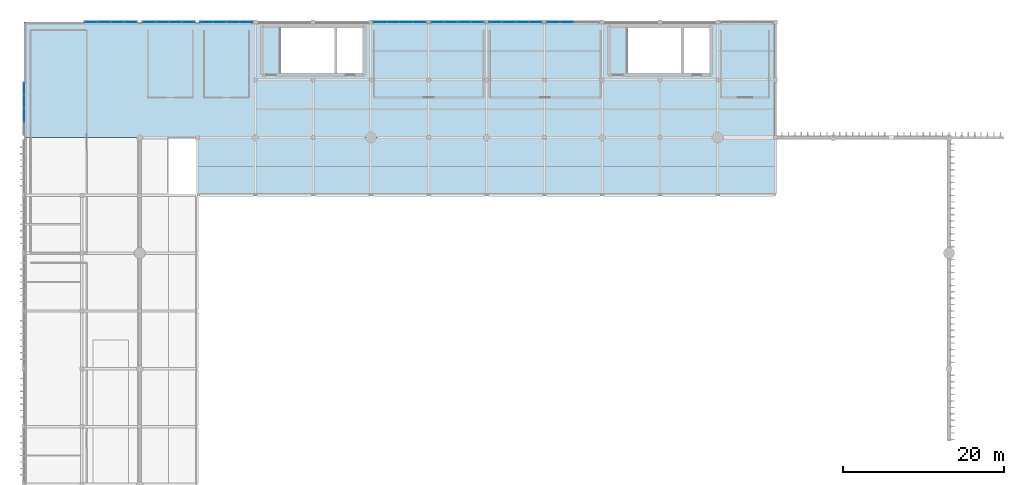
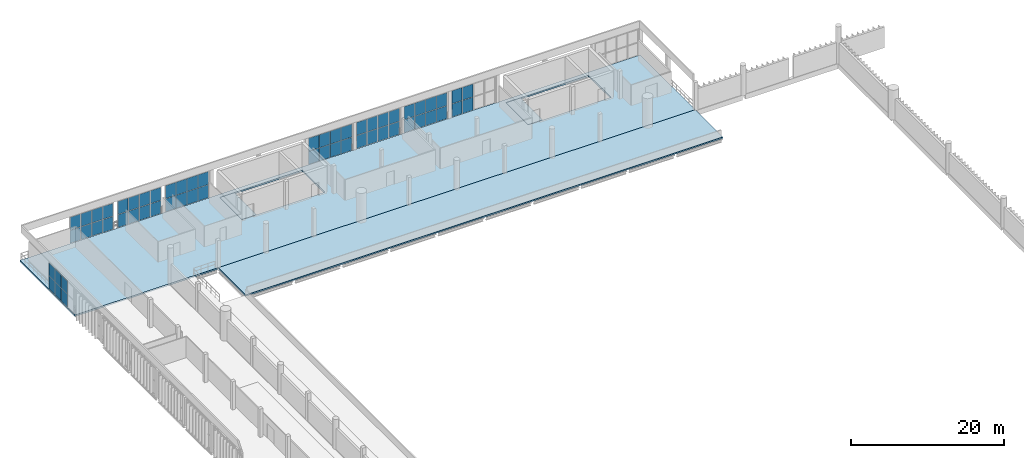
# One storey, part 41 of 64: 58 plates, 4 slabs, 8 elements without a shape of their own.
"""IFC4 building model written with IfcOpenShell, lengths in metres."""

from ifc_helpers import new_model, si_unit, direction, frame, origin, origin_2d, place, context, subcontext, project, spatial, polyline, rectangle, outline, extrude, material, layer, layer_set, type_object, element, aggregate, save


model = new_model("IFC4")

# Units and contexts
model_context = context("Model", 3, precision=1e-05, world=origin(), true_north=direction((0.0, 1.0)))
body_context = subcontext(model_context, "Body", "Model", "MODEL_VIEW")
ifc_project = project(units=[si_unit("LENGTHUNIT", "METRE"), si_unit("AREAUNIT", "SQUARE_METRE"), si_unit("VOLUMEUNIT", "CUBIC_METRE"), si_unit("PLANEANGLEUNIT", "RADIAN"), si_unit("MASSUNIT", "GRAM", prefix="KILO")], contexts=[model_context])

# Site, building, storey
site_placement = place(None, origin())
site = spatial("IfcSite", under=ifc_project, at=site_placement, CompositionType="ELEMENT")
building_placement = place(site_placement, origin())
building = spatial("IfcBuilding", under=site, at=building_placement, Name="Qandorah Velis Arena", CompositionType="ELEMENT")
storey_placement = place(building_placement, frame((0.0, 0.0, 23.0)))
storey = spatial("IfcBuildingStorey", under=building, at=storey_placement, Name="L05", CompositionType="ELEMENT", Elevation=23.0)

# Curtain wall, plates
ifc_material_1 = material(Name="Solar-control low-E double glazing", Category="glass")
curtain_wall_type_1 = type_object("IfcCurtainWallType", Name="ARC-CW-SYS06", PredefinedType="USERDEFINED", material=ifc_material_1)
curtain_wall_1_placement = place(storey_placement, origin())
curtain_wall_1 = element("IfcCurtainWall", 1, at=curtain_wall_1_placement, inside=storey, type_object=curtain_wall_type_1, Name="Unitised curtain wall L05-054", ObjectType="UNITISED CURTAIN WALL", PredefinedType="USERDEFINED")
ifc_layer_1 = layer(ifc_material_1, 0.02392578125)
ifc_layer_set_1 = layer_set([ifc_layer_1], Name="Solar-control low-E double glazing")
plate_type_1 = type_object("IfcPlateType", Name="ARC-CWP-GLZ24", PredefinedType="CURTAIN_PANEL", material=ifc_layer_set_1)
plate_1_placement = place(storey_placement, frame((0.0, 117.97509765625, 0.054931640625), z_axis=(0.0, 0.0, 1.0), x_axis=(0.0, 1.0, 0.0)))
plate_1 = element("IfcPlate", 2, at=plate_1_placement, type_object=plate_type_1, Name="CW06 panel 2.1", PredefinedType="CURTAIN_PANEL", context=body_context, shape_type="SweptSolid", body=[
    extrude(rectangle(XDim=1.60498046875, YDim=0.02392578125, at=origin_2d()), origin(), (0.0, 0.0, 1.0), 2.0625),
])
plate_2_placement = place(storey_placement, frame((0.0, 117.97509765625, 2.16259765625), z_axis=(0.0, 0.0, 1.0), x_axis=(0.0, 1.0, 0.0)))
plate_2 = element("IfcPlate", 3, at=plate_2_placement, type_object=plate_type_1, Name="CW06 panel 2.2", PredefinedType="CURTAIN_PANEL", context=body_context, shape_type="SweptSolid", body=[
    extrude(rectangle(XDim=1.60498046875, YDim=0.02392578125, at=origin_2d()), origin(), (0.0, 0.0, 1.0), 2.0625),
])
plate_3_placement = place(storey_placement, frame((0.0, 119.625, 0.054931640625), z_axis=(0.0, 0.0, 1.0), x_axis=(0.0, 1.0, 0.0)))
plate_3 = element("IfcPlate", 4, at=plate_3_placement, type_object=plate_type_1, Name="CW06 panel 3.1", PredefinedType="CURTAIN_PANEL", context=body_context, shape_type="SweptSolid", body=[
    extrude(rectangle(XDim=1.60498046875, YDim=0.02392578125, at=origin_2d()), origin(), (0.0, 0.0, 1.0), 2.0625),
])
plate_4_placement = place(storey_placement, frame((0.0, 119.625, 2.16259765625), z_axis=(0.0, 0.0, 1.0), x_axis=(0.0, 1.0, 0.0)))
plate_4 = element("IfcPlate", 5, at=plate_4_placement, type_object=plate_type_1, Name="CW06 panel 3.2", PredefinedType="CURTAIN_PANEL", context=body_context, shape_type="SweptSolid", body=[
    extrude(rectangle(XDim=1.60498046875, YDim=0.02392578125, at=origin_2d()), origin(), (0.0, 0.0, 1.0), 2.0625),
])
plate_5_placement = place(storey_placement, frame((0.0, 121.2587890625, 0.054931640625), z_axis=(0.0, 0.0, 1.0), x_axis=(0.0, 1.0, 0.0)))
plate_5 = element("IfcPlate", 6, at=plate_5_placement, type_object=plate_type_1, Name="CW06 panel 4.1", PredefinedType="CURTAIN_PANEL", context=body_context, shape_type="SweptSolid", body=[
    extrude(rectangle(XDim=1.572509765625, YDim=0.02392578125, at=origin_2d()), origin(), (0.0, 0.0, 1.0), 2.0625),
])
plate_6_placement = place(storey_placement, frame((0.0, 121.2587890625, 2.16259765625), z_axis=(0.0, 0.0, 1.0), x_axis=(0.0, 1.0, 0.0)))
plate_6 = element("IfcPlate", 7, at=plate_6_placement, type_object=plate_type_1, Name="CW06 panel 4.2", PredefinedType="CURTAIN_PANEL", context=body_context, shape_type="SweptSolid", body=[
    extrude(rectangle(XDim=1.572509765625, YDim=0.02392578125, at=origin_2d()), origin(), (0.0, 0.0, 1.0), 2.0625),
])
aggregate(curtain_wall_1, [plate_1, plate_2, plate_3, plate_4, plate_5, plate_6])

curtain_wall_type_2 = type_object("IfcCurtainWallType", Name="ARC-CW-SYS03", PredefinedType="USERDEFINED", material=ifc_material_1)
curtain_wall_2_placement = place(storey_placement, origin())
curtain_wall_2 = element("IfcCurtainWall", 8, at=curtain_wall_2_placement, inside=storey, type_object=curtain_wall_type_2, Name="Unitised curtain wall L05-099", ObjectType="UNITISED CURTAIN WALL", PredefinedType="USERDEFINED")
plate_7_placement = place(storey_placement, frame((22.739990234375, 129.60009765625, 0.0498046875), z_axis=(0.0, 0.0, 1.0), x_axis=(1.0, 0.0, 0.0)))
plate_7 = element("IfcPlate", 9, at=plate_7_placement, type_object=plate_type_1, Name="CW03 panel 1.1", PredefinedType="CURTAIN_PANEL", context=body_context, shape_type="SweptSolid", body=[
    extrude(rectangle(XDim=1.580078125, YDim=0.02392578125, at=origin_2d()), origin(), (0.0, 0.0, 1.0), 2.070068359375),
])
plate_8_placement = place(storey_placement, frame((22.739990234375, 129.60009765625, 2.16015625), z_axis=(0.0, 0.0, 1.0), x_axis=(1.0, 0.0, 0.0)))
plate_8 = element("IfcPlate", 10, at=plate_8_placement, type_object=plate_type_1, Name="CW03 panel 1.2", PredefinedType="CURTAIN_PANEL", context=body_context, shape_type="SweptSolid", body=[
    extrude(rectangle(XDim=1.580078125, YDim=0.02392578125, at=origin_2d()), origin(), (0.0, 0.0, 1.0), 2.070068359375),
])
plate_9_placement = place(storey_placement, frame((24.375, 129.60009765625, 0.0498046875), z_axis=(0.0, 0.0, 1.0), x_axis=(1.0, 0.0, 0.0)))
plate_9 = element("IfcPlate", 11, at=plate_9_placement, type_object=plate_type_1, Name="CW03 panel 2.1", PredefinedType="CURTAIN_PANEL", context=body_context, shape_type="SweptSolid", body=[
    extrude(rectangle(XDim=1.610107421875, YDim=0.02392578125, at=origin_2d()), origin(), (0.0, 0.0, 1.0), 2.070068359375),
])
plate_10_placement = place(storey_placement, frame((24.375, 129.60009765625, 2.16015625), z_axis=(0.0, 0.0, 1.0), x_axis=(1.0, 0.0, 0.0)))
plate_10 = element("IfcPlate", 12, at=plate_10_placement, type_object=plate_type_1, Name="CW03 panel 2.2", PredefinedType="CURTAIN_PANEL", context=body_context, shape_type="SweptSolid", body=[
    extrude(rectangle(XDim=1.610107421875, YDim=0.02392578125, at=origin_2d()), origin(), (0.0, 0.0, 1.0), 2.070068359375),
])
plate_11_placement = place(storey_placement, frame((26.02490234375, 129.60009765625, 0.0498046875), z_axis=(0.0, 0.0, 1.0), x_axis=(1.0, 0.0, 0.0)))
plate_11 = element("IfcPlate", 13, at=plate_11_placement, type_object=plate_type_1, Name="CW03 panel 3.1", PredefinedType="CURTAIN_PANEL", context=body_context, shape_type="SweptSolid", body=[
    extrude(rectangle(XDim=1.610107421875, YDim=0.02392578125, at=origin_2d()), origin(), (0.0, 0.0, 1.0), 2.070068359375),
])
plate_12_placement = place(storey_placement, frame((26.02490234375, 129.60009765625, 2.16015625), z_axis=(0.0, 0.0, 1.0), x_axis=(1.0, 0.0, 0.0)))
plate_12 = element("IfcPlate", 14, at=plate_12_placement, type_object=plate_type_1, Name="CW03 panel 3.2", PredefinedType="CURTAIN_PANEL", context=body_context, shape_type="SweptSolid", body=[
    extrude(rectangle(XDim=1.610107421875, YDim=0.02392578125, at=origin_2d()), origin(), (0.0, 0.0, 1.0), 2.070068359375),
])
plate_13_placement = place(storey_placement, frame((27.659912109375, 129.60009765625, 0.0498046875), z_axis=(0.0, 0.0, 1.0), x_axis=(1.0, 0.0, 0.0)))
plate_13 = element("IfcPlate", 15, at=plate_13_placement, type_object=plate_type_1, Name="CW03 panel 4.1", PredefinedType="CURTAIN_PANEL", context=body_context, shape_type="SweptSolid", body=[
    extrude(rectangle(XDim=1.580078125, YDim=0.02392578125, at=origin_2d()), origin(), (0.0, 0.0, 1.0), 2.070068359375),
])
plate_14_placement = place(storey_placement, frame((27.659912109375, 129.60009765625, 2.16015625), z_axis=(0.0, 0.0, 1.0), x_axis=(1.0, 0.0, 0.0)))
plate_14 = element("IfcPlate", 16, at=plate_14_placement, type_object=plate_type_1, Name="CW03 panel 4.2", PredefinedType="CURTAIN_PANEL", context=body_context, shape_type="SweptSolid", body=[
    extrude(rectangle(XDim=1.580078125, YDim=0.02392578125, at=origin_2d()), origin(), (0.0, 0.0, 1.0), 2.070068359375),
])
aggregate(curtain_wall_2, [plate_7, plate_8, plate_9, plate_10, plate_11, plate_12, plate_13, plate_14])

curtain_wall_type_3 = type_object("IfcCurtainWallType", Name="ARC-CW-SYS02", PredefinedType="USERDEFINED", material=ifc_material_1)
curtain_wall_3_placement = place(storey_placement, origin())
curtain_wall_3 = element("IfcCurtainWall", 17, at=curtain_wall_3_placement, inside=storey, type_object=curtain_wall_type_3, Name="Unitised curtain wall L05-098", ObjectType="UNITISED CURTAIN WALL", PredefinedType="USERDEFINED")
ifc_layer_2 = layer(ifc_material_1, 0.028076171875)
ifc_layer_set_2 = layer_set([ifc_layer_2], Name="Solar-control low-E double glazing")
plate_type_2 = type_object("IfcPlateType", Name="ARC-CWP-GLZ28", PredefinedType="CURTAIN_PANEL", material=ifc_layer_set_2)
plate_15_placement = place(storey_placement, frame((15.541259765625, 129.60009765625, 0.054931640625), z_axis=(0.0, 0.0, 1.0), x_axis=(1.0, 0.0, 0.0)))
plate_15 = element("IfcPlate", 18, at=plate_15_placement, type_object=plate_type_2, Name="CW02 panel 1.1", PredefinedType="CURTAIN_PANEL", context=body_context, shape_type="SweptSolid", body=[
    extrude(rectangle(XDim=1.572509765625, YDim=0.028076171875, at=origin_2d()), origin(), (0.0, 0.0, 1.0), 2.0625),
])
plate_16_placement = place(storey_placement, frame((15.541259765625, 129.60009765625, 2.16259765625), z_axis=(0.0, 0.0, 1.0), x_axis=(1.0, 0.0, 0.0)))
plate_16 = element("IfcPlate", 19, at=plate_16_placement, type_object=plate_type_2, Name="CW02 panel 1.2", PredefinedType="CURTAIN_PANEL", context=body_context, shape_type="SweptSolid", body=[
    extrude(rectangle(XDim=1.572509765625, YDim=0.028076171875, at=origin_2d()), origin(), (0.0, 0.0, 1.0), 2.0625),
])
plate_17_placement = place(storey_placement, frame((17.175048828125, 129.60009765625, 0.054931640625), z_axis=(0.0, 0.0, 1.0), x_axis=(1.0, 0.0, 0.0)))
plate_17 = element("IfcPlate", 20, at=plate_17_placement, type_object=plate_type_2, Name="CW02 panel 2.1", PredefinedType="CURTAIN_PANEL", context=body_context, shape_type="SweptSolid", body=[
    extrude(rectangle(XDim=1.60498046875, YDim=0.028076171875, at=origin_2d()), origin(), (0.0, 0.0, 1.0), 2.0625),
])
plate_18_placement = place(storey_placement, frame((17.175048828125, 129.60009765625, 2.16259765625), z_axis=(0.0, 0.0, 1.0), x_axis=(1.0, 0.0, 0.0)))
plate_18 = element("IfcPlate", 21, at=plate_18_placement, type_object=plate_type_2, Name="CW02 panel 2.2", PredefinedType="CURTAIN_PANEL", context=body_context, shape_type="SweptSolid", body=[
    extrude(rectangle(XDim=1.60498046875, YDim=0.028076171875, at=origin_2d()), origin(), (0.0, 0.0, 1.0), 2.0625),
])
plate_19_placement = place(storey_placement, frame((18.824951171875, 129.60009765625, 0.054931640625), z_axis=(0.0, 0.0, 1.0), x_axis=(1.0, 0.0, 0.0)))
plate_19 = element("IfcPlate", 22, at=plate_19_placement, type_object=plate_type_2, Name="CW02 panel 3.1", PredefinedType="CURTAIN_PANEL", context=body_context, shape_type="SweptSolid", body=[
    extrude(rectangle(XDim=1.60498046875, YDim=0.028076171875, at=origin_2d()), origin(), (0.0, 0.0, 1.0), 2.0625),
])
plate_20_placement = place(storey_placement, frame((18.824951171875, 129.60009765625, 2.16259765625), z_axis=(0.0, 0.0, 1.0), x_axis=(1.0, 0.0, 0.0)))
plate_20 = element("IfcPlate", 23, at=plate_20_placement, type_object=plate_type_2, Name="CW02 panel 3.2", PredefinedType="CURTAIN_PANEL", context=body_context, shape_type="SweptSolid", body=[
    extrude(rectangle(XDim=1.60498046875, YDim=0.028076171875, at=origin_2d()), origin(), (0.0, 0.0, 1.0), 2.0625),
])
plate_21_placement = place(storey_placement, frame((20.458740234375, 129.60009765625, 0.054931640625), z_axis=(0.0, 0.0, 1.0), x_axis=(1.0, 0.0, 0.0)))
plate_21 = element("IfcPlate", 24, at=plate_21_placement, type_object=plate_type_2, Name="CW02 panel 4.1", PredefinedType="CURTAIN_PANEL", context=body_context, shape_type="SweptSolid", body=[
    extrude(rectangle(XDim=1.572509765625, YDim=0.028076171875, at=origin_2d()), origin(), (0.0, 0.0, 1.0), 2.0625),
])
plate_22_placement = place(storey_placement, frame((20.458740234375, 129.60009765625, 2.16259765625), z_axis=(0.0, 0.0, 1.0), x_axis=(1.0, 0.0, 0.0)))
plate_22 = element("IfcPlate", 25, at=plate_22_placement, type_object=plate_type_2, Name="CW02 panel 4.2", PredefinedType="CURTAIN_PANEL", context=body_context, shape_type="SweptSolid", body=[
    extrude(rectangle(XDim=1.572509765625, YDim=0.028076171875, at=origin_2d()), origin(), (0.0, 0.0, 1.0), 2.0625),
])
aggregate(curtain_wall_3, [plate_15, plate_16, plate_17, plate_18, plate_19, plate_20, plate_21, plate_22])

curtain_wall_type_4 = type_object("IfcCurtainWallType", Name="ARC-CW-SYS07", PredefinedType="USERDEFINED", material=ifc_material_1)
curtain_wall_4_placement = place(storey_placement, origin())
curtain_wall_4 = element("IfcCurtainWall", 26, at=curtain_wall_4_placement, inside=storey, type_object=curtain_wall_type_4, Name="Unitised curtain wall L05-103", ObjectType="UNITISED CURTAIN WALL", PredefinedType="USERDEFINED")
plate_23_placement = place(storey_placement, frame((65.93994140625, 129.60009765625, 0.0498046875), z_axis=(0.0, 0.0, 1.0), x_axis=(1.0, 0.0, 0.0)))
plate_23 = element("IfcPlate", 27, at=plate_23_placement, type_object=plate_type_2, Name="CW07 panel 1.1", PredefinedType="CURTAIN_PANEL", context=body_context, shape_type="SweptSolid", body=[
    extrude(rectangle(XDim=1.580078125, YDim=0.028076171875, at=origin_2d()), origin(), (0.0, 0.0, 1.0), 2.070068359375),
])
plate_24_placement = place(storey_placement, frame((65.93994140625, 129.60009765625, 2.16015625), z_axis=(0.0, 0.0, 1.0), x_axis=(1.0, 0.0, 0.0)))
plate_24 = element("IfcPlate", 28, at=plate_24_placement, type_object=plate_type_2, Name="CW07 panel 1.2", PredefinedType="CURTAIN_PANEL", context=body_context, shape_type="SweptSolid", body=[
    extrude(rectangle(XDim=1.580078125, YDim=0.028076171875, at=origin_2d()), origin(), (0.0, 0.0, 1.0), 2.070068359375),
])
plate_25_placement = place(storey_placement, frame((67.574951171875, 129.60009765625, 0.0498046875), z_axis=(0.0, 0.0, 1.0), x_axis=(1.0, 0.0, 0.0)))
plate_25 = element("IfcPlate", 29, at=plate_25_placement, type_object=plate_type_2, Name="CW07 panel 2.1", PredefinedType="CURTAIN_PANEL", context=body_context, shape_type="SweptSolid", body=[
    extrude(rectangle(XDim=1.610107421875, YDim=0.028076171875, at=origin_2d()), origin(), (0.0, 0.0, 1.0), 2.070068359375),
])
plate_26_placement = place(storey_placement, frame((67.574951171875, 129.60009765625, 2.16015625), z_axis=(0.0, 0.0, 1.0), x_axis=(1.0, 0.0, 0.0)))
plate_26 = element("IfcPlate", 30, at=plate_26_placement, type_object=plate_type_2, Name="CW07 panel 2.2", PredefinedType="CURTAIN_PANEL", context=body_context, shape_type="SweptSolid", body=[
    extrude(rectangle(XDim=1.610107421875, YDim=0.028076171875, at=origin_2d()), origin(), (0.0, 0.0, 1.0), 2.070068359375),
])
aggregate(curtain_wall_4, [plate_23, plate_24, plate_25, plate_26])

curtain_wall_type_5 = type_object("IfcCurtainWallType", Name="ARC-CW-SYS01", PredefinedType="USERDEFINED", material=ifc_material_1)
curtain_wall_5_placement = place(storey_placement, origin())
curtain_wall_5 = element("IfcCurtainWall", 31, at=curtain_wall_5_placement, inside=storey, type_object=curtain_wall_type_5, Name="Unitised curtain wall L05-097", ObjectType="UNITISED CURTAIN WALL", PredefinedType="USERDEFINED")
ifc_layer_3 = layer(ifc_material_1, 0.030029296875)
ifc_layer_set_3 = layer_set([ifc_layer_3], Name="Solar-control low-E double glazing")
plate_type_3 = type_object("IfcPlateType", Name="ARC-CWP-GLZ30", PredefinedType="CURTAIN_PANEL", material=ifc_layer_set_3)
plate_27_placement = place(storey_placement, frame((8.34375, 129.60009765625, 0.06494140625), z_axis=(0.0, 0.0, 1.0), x_axis=(1.0, 0.0, 0.0)))
plate_27 = element("IfcPlate", 32, at=plate_27_placement, type_object=plate_type_3, Name="CW01 panel 1.1", PredefinedType="CURTAIN_PANEL", context=body_context, shape_type="SweptSolid", body=[
    extrude(rectangle(XDim=1.5576171875, YDim=0.030029296875, at=origin_2d()), origin(), (0.0, 0.0, 1.0), 2.047607421875),
])
plate_28_placement = place(storey_placement, frame((8.34375, 129.60009765625, 2.16748046875), z_axis=(0.0, 0.0, 1.0), x_axis=(1.0, 0.0, 0.0)))
plate_28 = element("IfcPlate", 33, at=plate_28_placement, type_object=plate_type_3, Name="CW01 panel 1.2", PredefinedType="CURTAIN_PANEL", context=body_context, shape_type="SweptSolid", body=[
    extrude(rectangle(XDim=1.5576171875, YDim=0.030029296875, at=origin_2d()), origin(), (0.0, 0.0, 1.0), 2.047607421875),
])
plate_29_placement = place(storey_placement, frame((9.97509765625, 129.60009765625, 0.06494140625), z_axis=(0.0, 0.0, 1.0), x_axis=(1.0, 0.0, 0.0)))
plate_29 = element("IfcPlate", 34, at=plate_29_placement, type_object=plate_type_3, Name="CW01 panel 2.1", PredefinedType="CURTAIN_PANEL", context=body_context, shape_type="SweptSolid", body=[
    extrude(rectangle(XDim=1.594970703125, YDim=0.030029296875, at=origin_2d()), origin(), (0.0, 0.0, 1.0), 2.047607421875),
])
plate_30_placement = place(storey_placement, frame((9.97509765625, 129.60009765625, 2.16748046875), z_axis=(0.0, 0.0, 1.0), x_axis=(1.0, 0.0, 0.0)))
plate_30 = element("IfcPlate", 35, at=plate_30_placement, type_object=plate_type_3, Name="CW01 panel 2.2", PredefinedType="CURTAIN_PANEL", context=body_context, shape_type="SweptSolid", body=[
    extrude(rectangle(XDim=1.594970703125, YDim=0.030029296875, at=origin_2d()), origin(), (0.0, 0.0, 1.0), 2.047607421875),
])
plate_31_placement = place(storey_placement, frame((11.625, 129.60009765625, 0.06494140625), z_axis=(0.0, 0.0, 1.0), x_axis=(1.0, 0.0, 0.0)))
plate_31 = element("IfcPlate", 36, at=plate_31_placement, type_object=plate_type_3, Name="CW01 panel 3.1", PredefinedType="CURTAIN_PANEL", context=body_context, shape_type="SweptSolid", body=[
    extrude(rectangle(XDim=1.594970703125, YDim=0.030029296875, at=origin_2d()), origin(), (0.0, 0.0, 1.0), 2.047607421875),
])
plate_32_placement = place(storey_placement, frame((11.625, 129.60009765625, 2.16748046875), z_axis=(0.0, 0.0, 1.0), x_axis=(1.0, 0.0, 0.0)))
plate_32 = element("IfcPlate", 37, at=plate_32_placement, type_object=plate_type_3, Name="CW01 panel 3.2", PredefinedType="CURTAIN_PANEL", context=body_context, shape_type="SweptSolid", body=[
    extrude(rectangle(XDim=1.594970703125, YDim=0.030029296875, at=origin_2d()), origin(), (0.0, 0.0, 1.0), 2.047607421875),
])
plate_33_placement = place(storey_placement, frame((13.25634765625, 129.60009765625, 0.06494140625), z_axis=(0.0, 0.0, 1.0), x_axis=(1.0, 0.0, 0.0)))
plate_33 = element("IfcPlate", 38, at=plate_33_placement, type_object=plate_type_3, Name="CW01 panel 4.1", PredefinedType="CURTAIN_PANEL", context=body_context, shape_type="SweptSolid", body=[
    extrude(rectangle(XDim=1.5576171875, YDim=0.030029296875, at=origin_2d()), origin(), (0.0, 0.0, 1.0), 2.047607421875),
])
plate_34_placement = place(storey_placement, frame((13.25634765625, 129.60009765625, 2.16748046875), z_axis=(0.0, 0.0, 1.0), x_axis=(1.0, 0.0, 0.0)))
plate_34 = element("IfcPlate", 39, at=plate_34_placement, type_object=plate_type_3, Name="CW01 panel 4.2", PredefinedType="CURTAIN_PANEL", context=body_context, shape_type="SweptSolid", body=[
    extrude(rectangle(XDim=1.5576171875, YDim=0.030029296875, at=origin_2d()), origin(), (0.0, 0.0, 1.0), 2.047607421875),
])
aggregate(curtain_wall_5, [plate_27, plate_28, plate_29, plate_30, plate_31, plate_32, plate_33, plate_34])

curtain_wall_6_placement = place(storey_placement, origin())
curtain_wall_6 = element("IfcCurtainWall", 40, at=curtain_wall_6_placement, inside=storey, type_object=curtain_wall_type_1, Name="Unitised curtain wall L05-102", ObjectType="UNITISED CURTAIN WALL", PredefinedType="USERDEFINED")
plate_35_placement = place(storey_placement, frame((58.7412109375, 129.60009765625, 0.054931640625), z_axis=(0.0, 0.0, 1.0), x_axis=(1.0, 0.0, 0.0)))
plate_35 = element("IfcPlate", 41, at=plate_35_placement, type_object=plate_type_3, Name="CW06 panel 1.1", PredefinedType="CURTAIN_PANEL", context=body_context, shape_type="SweptSolid", body=[
    extrude(rectangle(XDim=1.572509765625, YDim=0.030029296875, at=origin_2d()), origin(), (0.0, 0.0, 1.0), 2.0625),
])
plate_36_placement = place(storey_placement, frame((58.7412109375, 129.60009765625, 2.16259765625), z_axis=(0.0, 0.0, 1.0), x_axis=(1.0, 0.0, 0.0)))
plate_36 = element("IfcPlate", 42, at=plate_36_placement, type_object=plate_type_3, Name="CW06 panel 1.2", PredefinedType="CURTAIN_PANEL", context=body_context, shape_type="SweptSolid", body=[
    extrude(rectangle(XDim=1.572509765625, YDim=0.030029296875, at=origin_2d()), origin(), (0.0, 0.0, 1.0), 2.0625),
])
plate_37_placement = place(storey_placement, frame((60.375, 129.60009765625, 0.054931640625), z_axis=(0.0, 0.0, 1.0), x_axis=(1.0, 0.0, 0.0)))
plate_37 = element("IfcPlate", 43, at=plate_37_placement, type_object=plate_type_3, Name="CW06 panel 2.1", PredefinedType="CURTAIN_PANEL", context=body_context, shape_type="SweptSolid", body=[
    extrude(rectangle(XDim=1.60498046875, YDim=0.030029296875, at=origin_2d()), origin(), (0.0, 0.0, 1.0), 2.0625),
])
plate_38_placement = place(storey_placement, frame((60.375, 129.60009765625, 2.16259765625), z_axis=(0.0, 0.0, 1.0), x_axis=(1.0, 0.0, 0.0)))
plate_38 = element("IfcPlate", 44, at=plate_38_placement, type_object=plate_type_3, Name="CW06 panel 2.2", PredefinedType="CURTAIN_PANEL", context=body_context, shape_type="SweptSolid", body=[
    extrude(rectangle(XDim=1.60498046875, YDim=0.030029296875, at=origin_2d()), origin(), (0.0, 0.0, 1.0), 2.0625),
])
plate_39_placement = place(storey_placement, frame((62.02490234375, 129.60009765625, 0.054931640625), z_axis=(0.0, 0.0, 1.0), x_axis=(1.0, 0.0, 0.0)))
plate_39 = element("IfcPlate", 45, at=plate_39_placement, type_object=plate_type_3, Name="CW06 panel 3.1", PredefinedType="CURTAIN_PANEL", context=body_context, shape_type="SweptSolid", body=[
    extrude(rectangle(XDim=1.60498046875, YDim=0.030029296875, at=origin_2d()), origin(), (0.0, 0.0, 1.0), 2.0625),
])
plate_40_placement = place(storey_placement, frame((62.02490234375, 129.60009765625, 2.16259765625), z_axis=(0.0, 0.0, 1.0), x_axis=(1.0, 0.0, 0.0)))
plate_40 = element("IfcPlate", 46, at=plate_40_placement, type_object=plate_type_3, Name="CW06 panel 3.2", PredefinedType="CURTAIN_PANEL", context=body_context, shape_type="SweptSolid", body=[
    extrude(rectangle(XDim=1.60498046875, YDim=0.030029296875, at=origin_2d()), origin(), (0.0, 0.0, 1.0), 2.0625),
])
plate_41_placement = place(storey_placement, frame((63.65869140625, 129.60009765625, 0.054931640625), z_axis=(0.0, 0.0, 1.0), x_axis=(1.0, 0.0, 0.0)))
plate_41 = element("IfcPlate", 47, at=plate_41_placement, type_object=plate_type_3, Name="CW06 panel 4.1", PredefinedType="CURTAIN_PANEL", context=body_context, shape_type="SweptSolid", body=[
    extrude(rectangle(XDim=1.572509765625, YDim=0.030029296875, at=origin_2d()), origin(), (0.0, 0.0, 1.0), 2.0625),
])
plate_42_placement = place(storey_placement, frame((63.65869140625, 129.60009765625, 2.16259765625), z_axis=(0.0, 0.0, 1.0), x_axis=(1.0, 0.0, 0.0)))
plate_42 = element("IfcPlate", 48, at=plate_42_placement, type_object=plate_type_3, Name="CW06 panel 4.2", PredefinedType="CURTAIN_PANEL", context=body_context, shape_type="SweptSolid", body=[
    extrude(rectangle(XDim=1.572509765625, YDim=0.030029296875, at=origin_2d()), origin(), (0.0, 0.0, 1.0), 2.0625),
])
aggregate(curtain_wall_6, [plate_35, plate_36, plate_37, plate_38, plate_39, plate_40, plate_41, plate_42])

curtain_wall_type_6 = type_object("IfcCurtainWallType", Name="ARC-CW-SYS05", PredefinedType="USERDEFINED", material=ifc_material_1)
curtain_wall_7_placement = place(storey_placement, origin())
curtain_wall_7 = element("IfcCurtainWall", 49, at=curtain_wall_7_placement, inside=storey, type_object=curtain_wall_type_6, Name="Unitised curtain wall L05-101", ObjectType="UNITISED CURTAIN WALL", PredefinedType="USERDEFINED")
ifc_layer_4 = layer(ifc_material_1, 0.035888671875)
ifc_layer_set_4 = layer_set([ifc_layer_4], Name="Solar-control low-E double glazing")
plate_type_4 = type_object("IfcPlateType", Name="ARC-CWP-GLZ36", PredefinedType="CURTAIN_PANEL", material=ifc_layer_set_4)
plate_43_placement = place(storey_placement, frame((51.543701171875, 129.60009765625, 0.06494140625), z_axis=(0.0, 0.0, 1.0), x_axis=(1.0, 0.0, 0.0)))
plate_43 = element("IfcPlate", 50, at=plate_43_placement, type_object=plate_type_4, Name="CW05 panel 1.1", PredefinedType="CURTAIN_PANEL", context=body_context, shape_type="SweptSolid", body=[
    extrude(rectangle(XDim=1.5576171875, YDim=0.035888671875, at=origin_2d()), origin(), (0.0, 0.0, 1.0), 2.047607421875),
])
plate_44_placement = place(storey_placement, frame((51.543701171875, 129.60009765625, 2.16748046875), z_axis=(0.0, 0.0, 1.0), x_axis=(1.0, 0.0, 0.0)))
plate_44 = element("IfcPlate", 51, at=plate_44_placement, type_object=plate_type_4, Name="CW05 panel 1.2", PredefinedType="CURTAIN_PANEL", context=body_context, shape_type="SweptSolid", body=[
    extrude(rectangle(XDim=1.5576171875, YDim=0.035888671875, at=origin_2d()), origin(), (0.0, 0.0, 1.0), 2.047607421875),
])
plate_45_placement = place(storey_placement, frame((53.175048828125, 129.60009765625, 0.06494140625), z_axis=(0.0, 0.0, 1.0), x_axis=(1.0, 0.0, 0.0)))
plate_45 = element("IfcPlate", 52, at=plate_45_placement, type_object=plate_type_4, Name="CW05 panel 2.1", PredefinedType="CURTAIN_PANEL", context=body_context, shape_type="SweptSolid", body=[
    extrude(rectangle(XDim=1.594970703125, YDim=0.035888671875, at=origin_2d()), origin(), (0.0, 0.0, 1.0), 2.047607421875),
])
plate_46_placement = place(storey_placement, frame((53.175048828125, 129.60009765625, 2.16748046875), z_axis=(0.0, 0.0, 1.0), x_axis=(1.0, 0.0, 0.0)))
plate_46 = element("IfcPlate", 53, at=plate_46_placement, type_object=plate_type_4, Name="CW05 panel 2.2", PredefinedType="CURTAIN_PANEL", context=body_context, shape_type="SweptSolid", body=[
    extrude(rectangle(XDim=1.594970703125, YDim=0.035888671875, at=origin_2d()), origin(), (0.0, 0.0, 1.0), 2.047607421875),
])
plate_47_placement = place(storey_placement, frame((54.824951171875, 129.60009765625, 0.06494140625), z_axis=(0.0, 0.0, 1.0), x_axis=(1.0, 0.0, 0.0)))
plate_47 = element("IfcPlate", 54, at=plate_47_placement, type_object=plate_type_4, Name="CW05 panel 3.1", PredefinedType="CURTAIN_PANEL", context=body_context, shape_type="SweptSolid", body=[
    extrude(rectangle(XDim=1.594970703125, YDim=0.035888671875, at=origin_2d()), origin(), (0.0, 0.0, 1.0), 2.047607421875),
])
plate_48_placement = place(storey_placement, frame((54.824951171875, 129.60009765625, 2.16748046875), z_axis=(0.0, 0.0, 1.0), x_axis=(1.0, 0.0, 0.0)))
plate_48 = element("IfcPlate", 55, at=plate_48_placement, type_object=plate_type_4, Name="CW05 panel 3.2", PredefinedType="CURTAIN_PANEL", context=body_context, shape_type="SweptSolid", body=[
    extrude(rectangle(XDim=1.594970703125, YDim=0.035888671875, at=origin_2d()), origin(), (0.0, 0.0, 1.0), 2.047607421875),
])
plate_49_placement = place(storey_placement, frame((56.456298828125, 129.60009765625, 0.06494140625), z_axis=(0.0, 0.0, 1.0), x_axis=(1.0, 0.0, 0.0)))
plate_49 = element("IfcPlate", 56, at=plate_49_placement, type_object=plate_type_4, Name="CW05 panel 4.1", PredefinedType="CURTAIN_PANEL", context=body_context, shape_type="SweptSolid", body=[
    extrude(rectangle(XDim=1.5576171875, YDim=0.035888671875, at=origin_2d()), origin(), (0.0, 0.0, 1.0), 2.047607421875),
])
plate_50_placement = place(storey_placement, frame((56.456298828125, 129.60009765625, 2.16748046875), z_axis=(0.0, 0.0, 1.0), x_axis=(1.0, 0.0, 0.0)))
plate_50 = element("IfcPlate", 57, at=plate_50_placement, type_object=plate_type_4, Name="CW05 panel 4.2", PredefinedType="CURTAIN_PANEL", context=body_context, shape_type="SweptSolid", body=[
    extrude(rectangle(XDim=1.5576171875, YDim=0.035888671875, at=origin_2d()), origin(), (0.0, 0.0, 1.0), 2.047607421875),
])
aggregate(curtain_wall_7, [plate_43, plate_44, plate_45, plate_46, plate_47, plate_48, plate_49, plate_50])

curtain_wall_type_7 = type_object("IfcCurtainWallType", Name="ARC-CW-SYS04", PredefinedType="USERDEFINED", material=ifc_material_1)
curtain_wall_8_placement = place(storey_placement, origin())
curtain_wall_8 = element("IfcCurtainWall", 58, at=curtain_wall_8_placement, inside=storey, type_object=curtain_wall_type_7, Name="Unitised curtain wall L05-100", ObjectType="UNITISED CURTAIN WALL", PredefinedType="USERDEFINED")
ifc_layer_5 = layer(ifc_material_1, 0.0439453125)
ifc_layer_set_5 = layer_set([ifc_layer_5], Name="Solar-control low-E double glazing")
plate_type_5 = type_object("IfcPlateType", Name="ARC-CWP-SPN44", PredefinedType="CURTAIN_PANEL", material=ifc_layer_set_5)
plate_51_placement = place(storey_placement, frame((44.3388671875, 129.60009765625, 0.044921875), z_axis=(0.0, 0.0, 1.0), x_axis=(1.0, 0.0, 0.0)))
plate_51 = element("IfcPlate", 59, at=plate_51_placement, type_object=plate_type_5, Name="CW04 panel 1.1", PredefinedType="CURTAIN_PANEL", context=body_context, shape_type="SweptSolid", body=[
    extrude(rectangle(XDim=1.58740234375, YDim=0.0439453125, at=origin_2d()), origin(), (0.0, 0.0, 1.0), 2.077392578125),
])
plate_52_placement = place(storey_placement, frame((44.3388671875, 129.60009765625, 2.15771484375), z_axis=(0.0, 0.0, 1.0), x_axis=(1.0, 0.0, 0.0)))
plate_52 = element("IfcPlate", 60, at=plate_52_placement, type_object=plate_type_5, Name="CW04 panel 1.2", PredefinedType="CURTAIN_PANEL", context=body_context, shape_type="SweptSolid", body=[
    extrude(rectangle(XDim=1.58740234375, YDim=0.0439453125, at=origin_2d()), origin(), (0.0, 0.0, 1.0), 2.077392578125),
])
plate_53_placement = place(storey_placement, frame((45.97509765625, 129.60009765625, 0.044921875), z_axis=(0.0, 0.0, 1.0), x_axis=(1.0, 0.0, 0.0)))
plate_53 = element("IfcPlate", 61, at=plate_53_placement, type_object=plate_type_5, Name="CW04 panel 2.1", PredefinedType="CURTAIN_PANEL", context=body_context, shape_type="SweptSolid", body=[
    extrude(rectangle(XDim=1.614990234375, YDim=0.0439453125, at=origin_2d()), origin(), (0.0, 0.0, 1.0), 2.077392578125),
])
plate_54_placement = place(storey_placement, frame((45.97509765625, 129.60009765625, 2.15771484375), z_axis=(0.0, 0.0, 1.0), x_axis=(1.0, 0.0, 0.0)))
plate_54 = element("IfcPlate", 62, at=plate_54_placement, type_object=plate_type_5, Name="CW04 panel 2.2", PredefinedType="CURTAIN_PANEL", context=body_context, shape_type="SweptSolid", body=[
    extrude(rectangle(XDim=1.614990234375, YDim=0.0439453125, at=origin_2d()), origin(), (0.0, 0.0, 1.0), 2.077392578125),
])
plate_55_placement = place(storey_placement, frame((47.625, 129.60009765625, 0.044921875), z_axis=(0.0, 0.0, 1.0), x_axis=(1.0, 0.0, 0.0)))
plate_55 = element("IfcPlate", 63, at=plate_55_placement, type_object=plate_type_5, Name="CW04 panel 3.1", PredefinedType="CURTAIN_PANEL", context=body_context, shape_type="SweptSolid", body=[
    extrude(rectangle(XDim=1.614990234375, YDim=0.0439453125, at=origin_2d()), origin(), (0.0, 0.0, 1.0), 2.077392578125),
])
plate_56_placement = place(storey_placement, frame((47.625, 129.60009765625, 2.15771484375), z_axis=(0.0, 0.0, 1.0), x_axis=(1.0, 0.0, 0.0)))
plate_56 = element("IfcPlate", 64, at=plate_56_placement, type_object=plate_type_5, Name="CW04 panel 3.2", PredefinedType="CURTAIN_PANEL", context=body_context, shape_type="SweptSolid", body=[
    extrude(rectangle(XDim=1.614990234375, YDim=0.0439453125, at=origin_2d()), origin(), (0.0, 0.0, 1.0), 2.077392578125),
])
plate_57_placement = place(storey_placement, frame((49.26123046875, 129.60009765625, 0.044921875), z_axis=(0.0, 0.0, 1.0), x_axis=(1.0, 0.0, 0.0)))
plate_57 = element("IfcPlate", 65, at=plate_57_placement, type_object=plate_type_5, Name="CW04 panel 4.1", PredefinedType="CURTAIN_PANEL", context=body_context, shape_type="SweptSolid", body=[
    extrude(rectangle(XDim=1.58740234375, YDim=0.0439453125, at=origin_2d()), origin(), (0.0, 0.0, 1.0), 2.077392578125),
])
plate_58_placement = place(storey_placement, frame((49.26123046875, 129.60009765625, 2.15771484375), z_axis=(0.0, 0.0, 1.0), x_axis=(1.0, 0.0, 0.0)))
plate_58 = element("IfcPlate", 66, at=plate_58_placement, type_object=plate_type_5, Name="CW04 panel 4.2", PredefinedType="CURTAIN_PANEL", context=body_context, shape_type="SweptSolid", body=[
    extrude(rectangle(XDim=1.58740234375, YDim=0.0439453125, at=origin_2d()), origin(), (0.0, 0.0, 1.0), 2.077392578125),
])
aggregate(curtain_wall_8, [plate_51, plate_52, plate_53, plate_54, plate_55, plate_56, plate_57, plate_58])

# Slabs
ifc_material_2 = material(Name="Concrete C40/50", Category="concrete")
ifc_layer_6 = layer(ifc_material_2, 0.25)
ifc_layer_set_6 = layer_set([ifc_layer_6], Name="Concrete C40/50")
slab_type_1 = type_object("IfcSlabType", Name="STR-SLB-FL250", PredefinedType="FLOOR", material=ifc_layer_set_6)
slab_1_placement = place(storey_placement, frame((0.0, 0.0, -0.25)))
element("IfcSlab", 67, at=slab_1_placement, inside=storey, type_object=slab_type_1, Name="Structural floor slab L05_NORTH_SKY", PredefinedType="FLOOR", context=body_context, shape_type="SweptSolid", body=[
    extrude(outline(polyline([(93.60009765625, 115.199951171875), (0.0, 115.199951171875), (0.0, 129.60009765625), (93.60009765625, 129.60009765625), (93.60009765625, 115.199951171875)]), holes=[polyline([(29.7451171875, 123.14501953125), (31.955078125, 123.14501953125), (42.2548828125, 123.14501953125), (42.2548828125, 128.955078125), (31.955078125, 128.955078125), (31.955078125, 128.955078125), (29.7451171875, 128.955078125), (29.7451171875, 128.955078125), (29.7451171875, 123.14501953125)]), polyline([(72.945068359375, 128.955078125), (72.945068359375, 123.14501953125), (75.155029296875, 123.14501953125), (85.455078125, 123.14501953125), (85.455078125, 128.955078125), (75.155029296875, 128.955078125), (75.155029296875, 128.955078125), (72.945068359375, 128.955078125), (72.945068359375, 128.955078125)])]), origin(), (0.0, 0.0, 1.0), 0.25),
])
ifc_layer_7 = layer(ifc_material_2, 0.219970703125)
ifc_layer_set_7 = layer_set([ifc_layer_7], Name="Concrete C40/50")
slab_type_2 = type_object("IfcSlabType", Name="STR-SLB-LND220", PredefinedType="LANDING", material=ifc_layer_set_7)
slab_2_placement = place(storey_placement, frame((0.0, 0.0, -0.219970703125)))
element("IfcSlab", 68, at=slab_2_placement, inside=storey, type_object=slab_type_2, Name="Stair ST3 storey landing slab L05", PredefinedType="LANDING", context=body_context, shape_type="SweptSolid", body=[
    extrude(outline(polyline([(29.75, 123.14990234375), (31.949951171875, 123.14990234375), (31.949951171875, 128.949951171875), (29.75, 128.949951171875), (29.75, 123.14990234375)])), origin(), (0.0, 0.0, 1.0), 0.219970703125),
])
slab_3_placement = place(storey_placement, frame((0.0, 0.0, -0.219970703125)))
element("IfcSlab", 69, at=slab_3_placement, inside=storey, type_object=slab_type_2, Name="Stair ST4 storey landing slab L05", PredefinedType="LANDING", context=body_context, shape_type="SweptSolid", body=[
    extrude(outline(polyline([(72.949951171875, 123.14990234375), (75.14990234375, 123.14990234375), (75.14990234375, 128.949951171875), (72.949951171875, 128.949951171875), (72.949951171875, 123.14990234375)])), origin(), (0.0, 0.0, 1.0), 0.219970703125),
])
ifc_layer_8 = layer(ifc_material_2, 0.219970703125)
ifc_layer_set_8 = layer_set([ifc_layer_8], Name="Concrete C40/50")
slab_type_3 = type_object("IfcSlabType", Name="STR-SLB-RF220", PredefinedType="ROOF", material=ifc_layer_set_8)
slab_4_placement = place(storey_placement, frame((0.0, 0.0, -0.219970703125)))
element("IfcSlab", 70, at=slab_4_placement, inside=storey, type_object=slab_type_3, Name="Roof slab SLB-ROOF-MEDIA-N", PredefinedType="ROOF", context=body_context, shape_type="SweptSolid", body=[
    extrude(outline(polyline([(21.60009765625, 108.0), (93.60009765625, 108.0), (93.60009765625, 115.199951171875), (21.60009765625, 115.199951171875), (21.60009765625, 108.0)])), origin(), (0.0, 0.0, 1.0), 0.219970703125),
])

save(model, "model.ifc")
